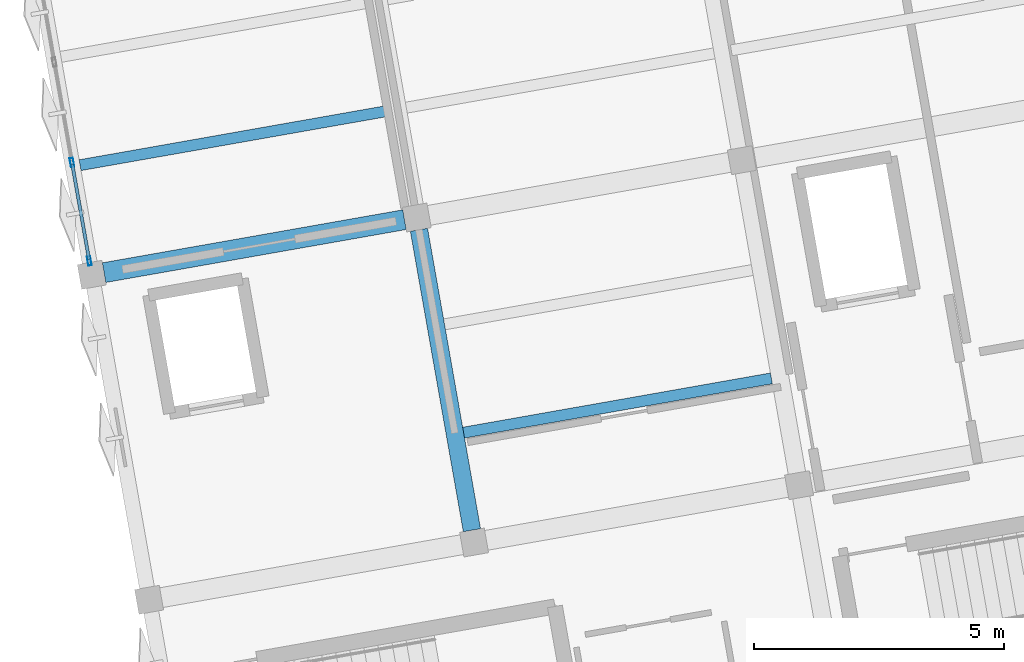
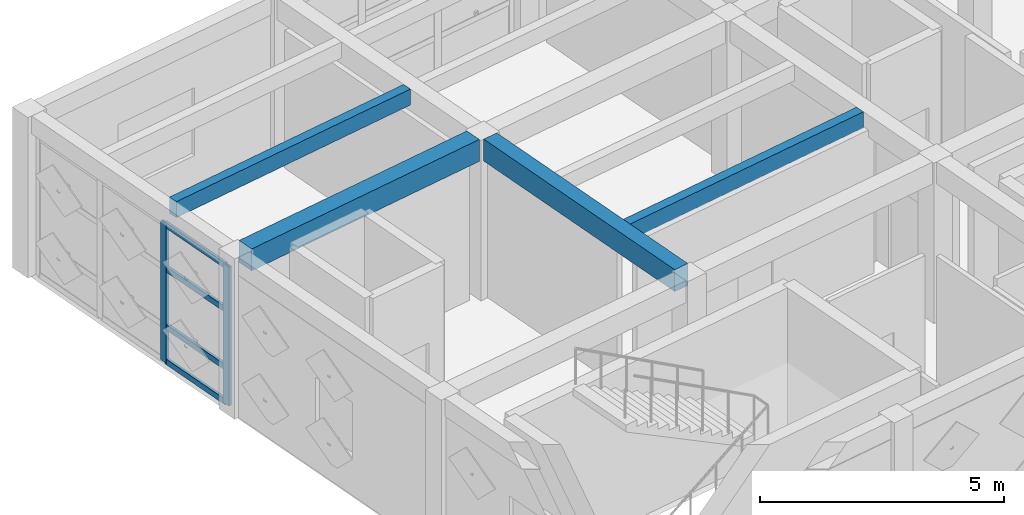
# One storey, part 2 of 13: 6 members, 4 beams, 1 element without a shape of its own.
"""IFC4 building model written with IfcOpenShell, lengths in metres."""

from ifc_helpers import new_model, si_unit, direction, frame, origin, origin_2d, place, context, subcontext, project, spatial, rectangle, hollow_rectangle, extrude, material, layer, layer_set, material_profile, profile_set, type_object, element, aggregate, save


model = new_model("IFC4")

# Units and contexts
model_context = context("Model", 3, precision=1e-05, world=origin(), true_north=direction((0.0, 1.0)))
body_context = subcontext(model_context, "Body", "Model", "MODEL_VIEW")
ifc_project = project(units=[si_unit("LENGTHUNIT", "METRE"), si_unit("AREAUNIT", "SQUARE_METRE"), si_unit("VOLUMEUNIT", "CUBIC_METRE"), si_unit("PLANEANGLEUNIT", "RADIAN"), si_unit("MASSUNIT", "GRAM", prefix="KILO")], contexts=[model_context])

# Site, building, storey
site_placement = place(None, origin())
site = spatial("IfcSite", under=ifc_project, at=site_placement, CompositionType="ELEMENT")
building_placement = place(site_placement, origin())
building = spatial("IfcBuilding", under=site, at=building_placement, Name="Kharisveld Research Institute", CompositionType="ELEMENT")
storey_placement = place(building_placement, frame((0.0, 0.0, 45.0)))
storey = spatial("IfcBuildingStorey", under=building, at=storey_placement, Name="L10", CompositionType="ELEMENT", Elevation=45.0)

# Beams
ifc_material_1 = material(Name="Concrete C40/50", Category="concrete")
ifc_material_profile_1 = material_profile(ifc_material_1, rectangle(XDim=0.35009765625, YDim=0.550048828125, at=origin_2d()))
ifc_profile_set_1 = profile_set([ifc_material_profile_1], Name="Concrete C40/50")
beam_type_1 = type_object("IfcBeamType", Name="BM_RC_350x550", PredefinedType="BEAM", material=ifc_profile_set_1)
beam_1_placement = place(storey_placement, frame((10.51025390625, 42.902099609375, 3.7451171875), z_axis=(-0.173659757005, 0.984805711192, 0.0), x_axis=(-0.984805711192, -0.173659757005, 0.0)))
element("IfcBeam", 1, at=beam_1_placement, inside=storey, type_object=beam_type_1, Name="BM:V1:L10:V1_1", PredefinedType="BEAM", context=body_context, shape_type="SweptSolid", body=[
    extrude(rectangle(XDim=0.35009765625, YDim=0.550048828125, at=origin_2d()), origin(), (0.0, 0.0, 1.0), 6.10009765625),
])
ifc_material_2 = material(Name="Concrete C40/50", Category="concrete")
ifc_material_profile_2 = material_profile(ifc_material_2, rectangle(XDim=0.39990234375, YDim=0.550048828125, at=origin_2d()))
ifc_profile_set_2 = profile_set([ifc_material_profile_2], Name="Concrete C40/50")
beam_type_2 = type_object("IfcBeamType", Name="BM_RC_400x550", PredefinedType="BEAM", material=ifc_profile_set_2)
beam_2_placement = place(storey_placement, frame((3.154052734375, 48.052978515625, 3.7451171875), z_axis=(0.984812555252, 0.173620940611, 0.0), x_axis=(-0.173620940611, 0.984812555252, 0.0)))
element("IfcBeam", 2, at=beam_2_placement, inside=storey, type_object=beam_type_2, Name="BM:V1:L10:U0_2", PredefinedType="BEAM", context=body_context, shape_type="SweptSolid", body=[
    extrude(rectangle(XDim=0.39990234375, YDim=0.550048828125, at=origin_2d()), origin(), (0.0, 0.0, 1.0), 6.099853515625),
])

# Curtain wall, members
ifc_material_3 = material(Name="Thermally Broken Aluminium Curtain Wall", Category="aluminium")
ifc_layer = layer(ifc_material_3, 0.159912109375)
ifc_layer_set = layer_set([ifc_layer], Name="CW_SYS_05")
curtain_wall_type = type_object("IfcCurtainWallType", Name="CW_SYS_05", PredefinedType="NOTDEFINED", material=ifc_layer_set)
curtain_wall_placement = place(storey_placement, origin())
curtain_wall = element("IfcCurtainWall", 3, at=curtain_wall_placement, inside=storey, type_object=curtain_wall_type, Name="CW:V1:L10:W2", PredefinedType="NOTDEFINED")
ifc_material_4 = material(Name="Anodised Aluminium AW-6063-T6", Category="aluminium")
ifc_material_profile_3 = material_profile(ifc_material_4, hollow_rectangle(XDim=0.070068359375, YDim=0.179931640625, WallThickness=0.00439453125, at=origin_2d()))
ifc_profile_set_3 = profile_set([ifc_material_profile_3], Name="Anodised Aluminium AW-6063-T6")
member_type_1 = type_object("IfcMemberType", Name="CW_MUL_180", PredefinedType="MULLION", material=ifc_profile_set_3)
member_1_placement = place(storey_placement, frame((2.859130859375, 48.28515625, 0.0), z_axis=(0.0, 0.0, 1.0), x_axis=(-0.984807766347, -0.173648102039, 0.0)))
member_1 = element("IfcMember", 4, at=member_1_placement, type_object=member_type_1, Name="CW-05 mullion 1", PredefinedType="MULLION", context=body_context, shape_type="SweptSolid", body=[
    extrude(hollow_rectangle(XDim=0.070068359375, YDim=0.179931640625, WallThickness=0.00439453125, at=origin_2d()), origin(), (0.0, 0.0, 1.0), 3.47998046875),
])
member_2_placement = place(storey_placement, frame((2.51171875, 50.25634765625, 0.0), z_axis=(0.0, 0.0, 1.0), x_axis=(-0.984807766347, -0.173648102039, 0.0)))
member_2 = element("IfcMember", 5, at=member_2_placement, type_object=member_type_1, Name="CW-05 mullion 2", PredefinedType="MULLION", context=body_context, shape_type="SweptSolid", body=[
    extrude(hollow_rectangle(XDim=0.070068359375, YDim=0.179931640625, WallThickness=0.00439453125, at=origin_2d()), origin(), (0.0, 0.0, 1.0), 3.47998046875),
])
ifc_material_5 = material(Name="Anodised Aluminium AW-6063-T6", Category="aluminium")
ifc_material_profile_4 = material_profile(ifc_material_5, hollow_rectangle(XDim=0.06494140625, YDim=0.139892578125, WallThickness=0.00390625, at=origin_2d()))
ifc_profile_set_4 = profile_set([ifc_material_profile_4], Name="Anodised Aluminium AW-6063-T6")
member_type_2 = type_object("IfcMemberType", Name="CW_TRN_140", PredefinedType="USERDEFINED", material=ifc_profile_set_4)
member_3_placement = place(storey_placement, frame((2.85302734375, 48.319580078125, 0.032470703125), z_axis=(-0.173532973053, 0.984828059746, 0.0), x_axis=(-0.984828059746, -0.173532973053, 0.0)))
member_3 = element("IfcMember", 6, at=member_3_placement, type_object=member_type_2, Name="CW-05 transom 1.1", ObjectType="TRANSOM", PredefinedType="USERDEFINED", context=body_context, shape_type="SweptSolid", body=[
    extrude(hollow_rectangle(XDim=0.06494140625, YDim=0.139892578125, WallThickness=0.00390625, at=origin_2d()), origin(), (0.0, 0.0, 1.0), 1.931640625),
])
member_4_placement = place(storey_placement, frame((2.85302734375, 48.319580078125, 0.89990234375), z_axis=(-0.173532973053, 0.984828059746, 0.0), x_axis=(-0.984828059746, -0.173532973053, 0.0)))
member_4 = element("IfcMember", 7, at=member_4_placement, type_object=member_type_2, Name="CW-05 transom 1.2", ObjectType="TRANSOM", PredefinedType="USERDEFINED", context=body_context, shape_type="SweptSolid", body=[
    extrude(hollow_rectangle(XDim=0.06494140625, YDim=0.139892578125, WallThickness=0.00390625, at=origin_2d()), origin(), (0.0, 0.0, 1.0), 1.931640625),
])
member_5_placement = place(storey_placement, frame((2.85302734375, 48.319580078125, 2.35009765625), z_axis=(-0.173532973053, 0.984828059746, 0.0), x_axis=(-0.984828059746, -0.173532973053, 0.0)))
member_5 = element("IfcMember", 8, at=member_5_placement, type_object=member_type_2, Name="CW-05 transom 1.3", ObjectType="TRANSOM", PredefinedType="USERDEFINED", context=body_context, shape_type="SweptSolid", body=[
    extrude(hollow_rectangle(XDim=0.06494140625, YDim=0.139892578125, WallThickness=0.00390625, at=origin_2d()), origin(), (0.0, 0.0, 1.0), 1.931640625),
])
member_6_placement = place(storey_placement, frame((2.85302734375, 48.319580078125, 3.447509765625), z_axis=(-0.173532973053, 0.984828059746, 0.0), x_axis=(-0.984828059746, -0.173532973053, 0.0)))
member_6 = element("IfcMember", 9, at=member_6_placement, type_object=member_type_2, Name="CW-05 transom 1.4", ObjectType="TRANSOM", PredefinedType="USERDEFINED", context=body_context, shape_type="SweptSolid", body=[
    extrude(hollow_rectangle(XDim=0.06494140625, YDim=0.139892578125, WallThickness=0.00390625, at=origin_2d()), origin(), (0.0, 0.0, 1.0), 1.931640625),
])
aggregate(curtain_wall, [member_1, member_2, member_3, member_4, member_5, member_6])

# Beams
ifc_material_6 = material(Name="Concrete C40/50", Category="concrete")
ifc_material_profile_5 = material_profile(ifc_material_6, rectangle(XDim=0.219970703125, YDim=0.39990234375, at=origin_2d()))
ifc_profile_set_5 = profile_set([ifc_material_profile_5], Name="Concrete C40/50")
beam_type_3 = type_object("IfcBeamType", Name="WB_RC_220x400", PredefinedType="JOIST", material=ifc_profile_set_5)
beam_3_placement = place(storey_placement, frame((2.673583984375, 50.2021484375, 3.820068359375), z_axis=(0.9848090074, 0.173641063528, 0.0), x_axis=(-0.173641063528, 0.9848090074, 0.0)))
element("IfcBeam", 10, at=beam_3_placement, inside=storey, type_object=beam_type_3, Name="BM:V1:L10:J_0_2_R1", PredefinedType="JOIST", context=body_context, shape_type="SweptSolid", body=[
    extrude(rectangle(XDim=0.219970703125, YDim=0.39990234375, at=origin_2d()), origin(), (0.0, 0.0, 1.0), 6.27490234375),
])
beam_4_placement = place(storey_placement, frame((10.343994140625, 44.852783203125, 3.820068359375), z_axis=(0.984810288083, 0.17363379995, 0.0), x_axis=(-0.17363379995, 0.984810288083, 0.0)))
element("IfcBeam", 11, at=beam_4_placement, inside=storey, type_object=beam_type_3, Name="BM:V1:L10:J_1_1_R1", PredefinedType="JOIST", context=body_context, shape_type="SweptSolid", body=[
    extrude(rectangle(XDim=0.219970703125, YDim=0.39990234375, at=origin_2d()), origin(), (0.0, 0.0, 1.0), 6.25),
])

save(model, "model.ifc")
